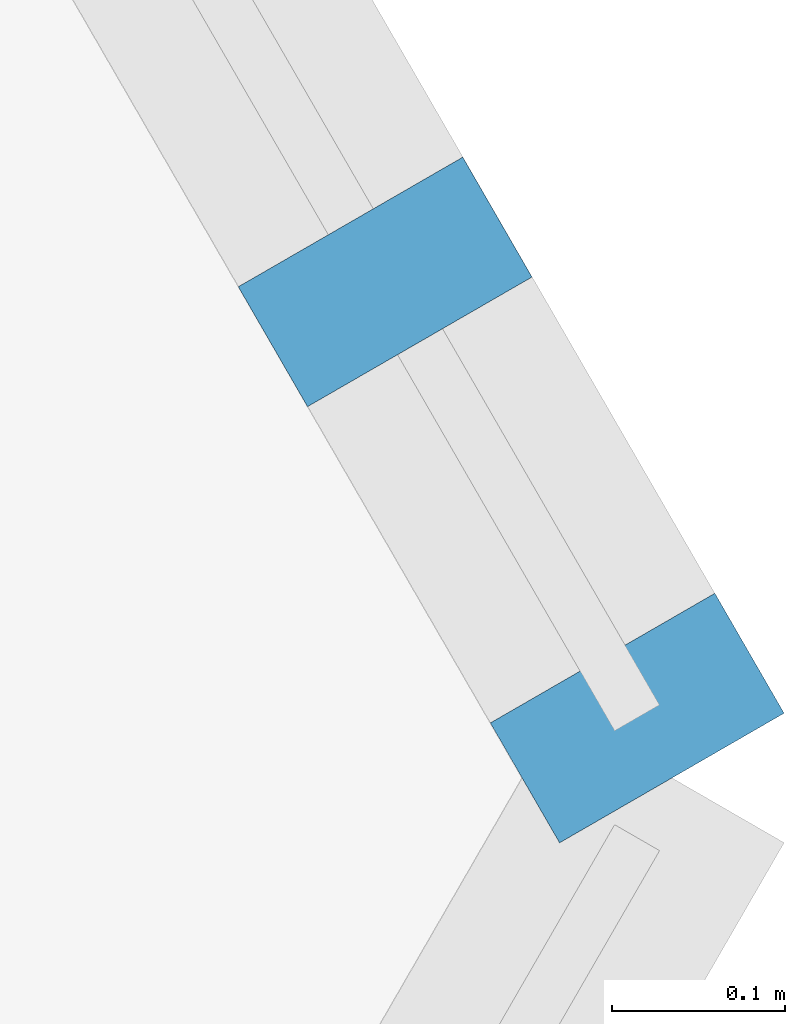
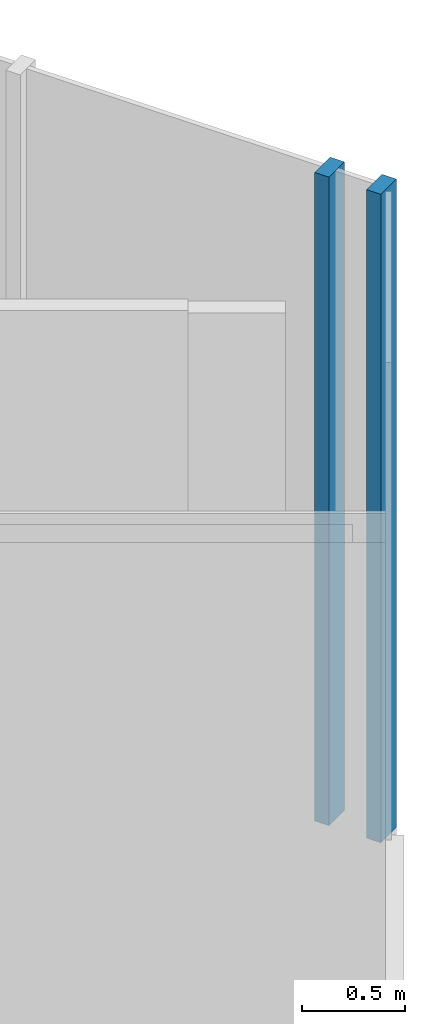
# One storey, part 12 of 25: 2 members, 1 element without a shape of its own.
"""IFC4 building model written with IfcOpenShell, lengths in metres."""

from ifc_helpers import new_model, si_unit, direction, frame, origin, origin_2d, place, context, subcontext, project, spatial, rectangle, extrude, material, layer, layer_set, material_profile, profile_set, type_object, element, aggregate, save


model = new_model("IFC4")

# Units and contexts
model_context = context("Model", 3, precision=1e-05, world=origin(), true_north=direction((0.0, 1.0)))
body_context = subcontext(model_context, "Body", "Model", "MODEL_VIEW")
ifc_project = project(units=[si_unit("LENGTHUNIT", "METRE"), si_unit("AREAUNIT", "SQUARE_METRE"), si_unit("VOLUMEUNIT", "CUBIC_METRE"), si_unit("PLANEANGLEUNIT", "RADIAN"), si_unit("MASSUNIT", "GRAM", prefix="KILO")], contexts=[model_context])

# Site, building, storey
site_placement = place(None, origin())
site = spatial("IfcSite", under=ifc_project, at=site_placement, CompositionType="ELEMENT")
building_placement = place(site_placement, origin())
building = spatial("IfcBuilding", under=site, at=building_placement, Name="Firuza Gate Tower and Library", CompositionType="ELEMENT")
storey_placement = place(building_placement, frame((0.0, 0.0, 61.0)))
storey = spatial("IfcBuildingStorey", under=building, at=storey_placement, Name="L13", CompositionType="ELEMENT", Elevation=61.0)

# Curtain wall, members
ifc_material_1 = material(Name="Aluminium 6063-T6", Category="aluminium")
ifc_layer = layer(ifc_material_1, 0.14990234375)
ifc_layer_set = layer_set([ifc_layer], Name="Unitised curtain wall, offices")
curtain_wall_type = type_object("IfcCurtainWallType", Name="Unitised curtain wall, offices", PredefinedType="NOTDEFINED", material=ifc_layer_set)
curtain_wall_placement = place(storey_placement, origin())
curtain_wall = element("IfcCurtainWall", 1, at=curtain_wall_placement, inside=storey, type_object=curtain_wall_type, Name="CW1 L13 E face", PredefinedType="NOTDEFINED")
ifc_material_2 = material(Name="Aluminium 6063-T6", Category="aluminium")
ifc_material_profile = material_profile(ifc_material_2, rectangle(XDim=0.14990234375, YDim=0.080078125, at=origin_2d()))
ifc_profile_set = profile_set([ifc_material_profile], Name="Aluminium 6063-T6")
member_type = type_object("IfcMemberType", Name="Curtain wall mullion 80x150", PredefinedType="MULLION", material=ifc_profile_set)
member_1_placement = place(storey_placement, frame((107.27001953125, 60.598876953125, 0.14990234375), z_axis=(0.0, 0.0, 1.0), x_axis=(-0.866025403784, -0.5, 0.0)))
member_1 = element("IfcMember", 2, at=member_1_placement, type_object=member_type, Name="Mullion", PredefinedType="MULLION", context=body_context, shape_type="SweptSolid", body=[
    extrude(rectangle(XDim=0.14990234375, YDim=0.080078125, at=origin_2d()), origin(), (0.0, 0.0, 1.0), 3.85009765625),
])
member_2_placement = place(storey_placement, frame((107.124267578125, 60.85107421875, 0.14990234375), z_axis=(0.0, 0.0, 1.0), x_axis=(-0.866025403784, -0.5, 0.0)))
member_2 = element("IfcMember", 3, at=member_2_placement, type_object=member_type, Name="Mullion", PredefinedType="MULLION", context=body_context, shape_type="SweptSolid", body=[
    extrude(rectangle(XDim=0.14990234375, YDim=0.080078125, at=origin_2d()), origin(), (0.0, 0.0, 1.0), 3.85009765625),
])
aggregate(curtain_wall, [member_1, member_2])

save(model, "model.ifc")
